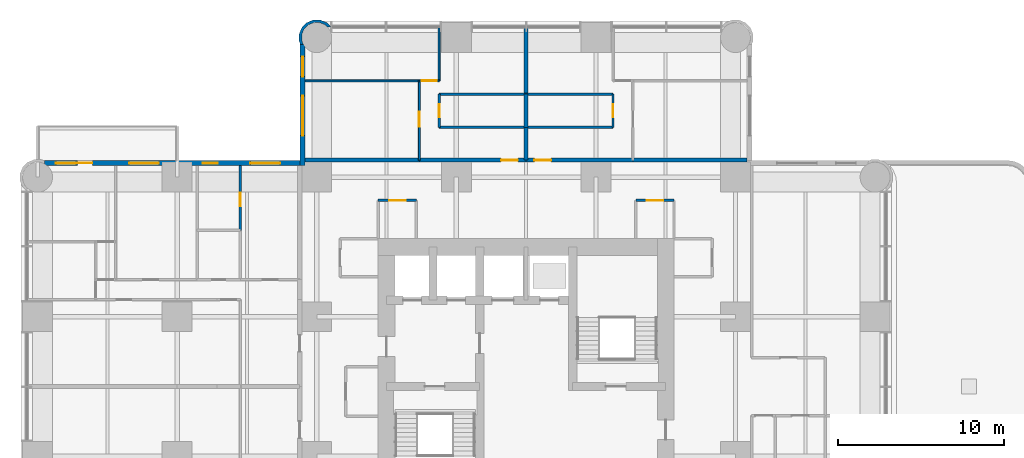
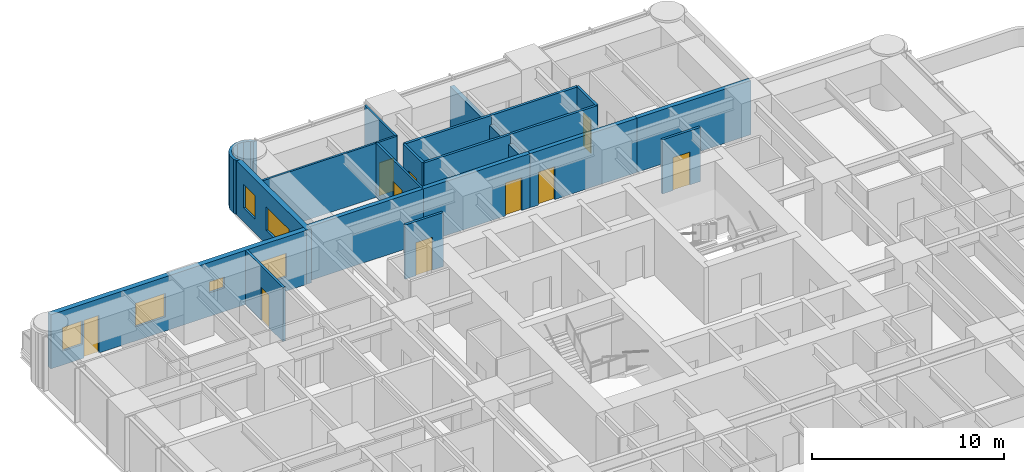
# One storey, part 9 of 12: 23 walls, 10 doors, 6 windows, 16 openings.
"""IFC4 building model written with IfcOpenShell, lengths in metres."""

from ifc_helpers import new_model, si_unit, direction, frame, frame_2d, origin, place, context, subcontext, project, spatial, polyline, rectangle, outline, extrude, material, layer, layer_set, type_object, element, fill, save


model = new_model("IFC4")

# Units and contexts
model_context = context("Model", 3, precision=1e-05, world=origin(), true_north=direction((0.0, 1.0)))
body_context = subcontext(model_context, "Body", "Model", "MODEL_VIEW")
ifc_project = project(units=[si_unit("LENGTHUNIT", "METRE"), si_unit("AREAUNIT", "SQUARE_METRE"), si_unit("VOLUMEUNIT", "CUBIC_METRE"), si_unit("PLANEANGLEUNIT", "RADIAN"), si_unit("MASSUNIT", "GRAM", prefix="KILO")], contexts=[model_context])

# Site, building, storey
site_placement = place(None, origin())
site = spatial("IfcSite", under=ifc_project, at=site_placement, CompositionType="ELEMENT")
building_placement = place(site_placement, origin())
building = spatial("IfcBuilding", under=site, at=building_placement, Name="Torre Alcanfor", CompositionType="ELEMENT")
storey_placement = place(building_placement, frame((0.0, 0.0, 183.300048828125)))
storey = spatial("IfcBuildingStorey", under=building, at=storey_placement, Name="L47", CompositionType="ELEMENT", Elevation=183.300048828125)

# Wall, opening, door
ifc_material_1 = material(Name="Concrete block masonry, hollow blocks NMX-C-404 9 MPa", Category="masonry")
ifc_layer_1 = layer(ifc_material_1, 0.25)
ifc_layer_set_1 = layer_set([ifc_layer_1], Name="Apartment entrance wall 250 EI 60")
wall_type_1 = type_object("IfcWallType", Name="Apartment entrance wall 250 EI 60", PredefinedType="PARTITIONING", material=ifc_layer_set_1)
wall_1_placement = place(storey_placement, frame((22.970947265625, 43.02490234375, 0.0), z_axis=(0.0, 0.0, 1.0), x_axis=(1.0, 0.0, 0.0)))
wall_1 = element("IfcWall", 1, at=wall_1_placement, inside=storey, type_object=wall_type_1, Name="Partition L47-CORR / L47-N1-LIVING", PredefinedType="PARTITIONING", context=body_context, shape_type="SweptSolid", body=[
    extrude(rectangle(XDim=6.428955078125, YDim=0.25, at=frame_2d((3.21435546875, 0.0))), origin(), (0.0, 0.0, 1.0), 3.449951171875),
])
opening_1_placement = place(wall_1_placement, frame((4.928955078125, 0.0, 0.0)))
opening_1 = element("IfcOpeningElement", 2, at=opening_1_placement, cuts=wall_1, Name="Opening D-A1", PredefinedType="OPENING", context=body_context, shape_type="SweptSolid", body=[
    extrude(rectangle(XDim=1.0, YDim=2.10009765625, at=frame_2d((0.5, 1.050048828125))), frame((0.0, 0.135009765625, 0.0), z_axis=(0.0, -1.0, 0.0), x_axis=(1.0, 0.0, 0.0)), (0.0, 0.0, 1.0), 0.27001953125),
])
ifc_material_2 = material(Name="Galvanised steel sheet ASTM A653", Category="steel")
door_type_1 = type_object("IfcDoorType", Name="Apartment entrance door FD60 1000x2100", OperationType="SINGLE_SWING_LEFT", PredefinedType="DOOR", material=ifc_material_2)
door_1_placement = place(opening_1_placement, origin())
door_1 = element("IfcDoor", 3, at=door_1_placement, inside=storey, type_object=door_type_1, Name="Apartment entrance L47-N1", OperationType="SINGLE_SWING_RIGHT", OverallHeight=2.10009765625, OverallWidth=1.0, PredefinedType="DOOR", context=body_context, shape_type="SweptSolid", body=[
    extrude(rectangle(XDim=1.0, YDim=2.10009765625, at=frame_2d((0.5, 1.050048828125))), frame((0.0, 0.02490234375, 0.0), z_axis=(0.0, -1.0, 0.0), x_axis=(1.0, 0.0, 0.0)), (0.0, 0.0, 1.0), 0.050048828125),
])
fill(opening_1, door_1)

# Wall
wall_2_placement = place(storey_placement, frame((16.10009765625, 43.02490234375, 0.0), z_axis=(0.0, 0.0, 1.0), x_axis=(1.0, 0.0, 0.0)))
element("IfcWall", 4, at=wall_2_placement, inside=storey, type_object=wall_type_1, Name="Partition L47-CORR / L47-N1-BED2", PredefinedType="PARTITIONING", context=body_context, shape_type="SweptSolid", body=[
    extrude(rectangle(XDim=6.870849609375, YDim=0.25, at=frame_2d((3.435546875, 0.0))), origin(), (0.0, 0.0, 1.0), 3.449951171875),
])

# Wall, opening, door
wall_3_placement = place(storey_placement, frame((29.39990234375, 43.02490234375, 0.0), z_axis=(0.0, 0.0, 1.0), x_axis=(1.0, 0.0, 0.0)))
wall_3 = element("IfcWall", 5, at=wall_3_placement, inside=storey, type_object=wall_type_1, Name="Partition L47-CORR / L47-N2-LIVING", PredefinedType="PARTITIONING", context=body_context, shape_type="SweptSolid", body=[
    extrude(rectangle(XDim=6.42919921875, YDim=0.25, at=frame_2d((3.214599609375, 0.0))), origin(), (0.0, 0.0, 1.0), 3.449951171875),
])
opening_2_placement = place(wall_3_placement, frame((0.5, 0.0, 0.0)))
opening_2 = element("IfcOpeningElement", 6, at=opening_2_placement, cuts=wall_3, Name="Opening D-A1", PredefinedType="OPENING", context=body_context, shape_type="SweptSolid", body=[
    extrude(rectangle(XDim=1.0, YDim=2.10009765625, at=frame_2d((0.5, 1.050048828125))), frame((0.0, 0.135009765625, 0.0), z_axis=(0.0, -1.0, 0.0), x_axis=(1.0, 0.0, 0.0)), (0.0, 0.0, 1.0), 0.27001953125),
])
door_2_placement = place(opening_2_placement, origin())
door_2 = element("IfcDoor", 7, at=door_2_placement, inside=storey, type_object=door_type_1, Name="Apartment entrance L47-N2", OperationType="SINGLE_SWING_LEFT", OverallHeight=2.10009765625, OverallWidth=1.0, PredefinedType="DOOR", context=body_context, shape_type="SweptSolid", body=[
    extrude(rectangle(XDim=1.0, YDim=2.10009765625, at=frame_2d((0.5, 1.050048828125))), frame((0.0, 0.02490234375, 0.0), z_axis=(0.0, -1.0, 0.0), x_axis=(1.0, 0.0, 0.0)), (0.0, 0.0, 1.0), 0.050048828125),
])
fill(opening_2, door_2)

# Wall
wall_4_placement = place(storey_placement, frame((35.8291015625, 43.02490234375, 0.0), z_axis=(0.0, 0.0, 1.0), x_axis=(1.0, 0.0, 0.0)))
element("IfcWall", 8, at=wall_4_placement, inside=storey, type_object=wall_type_1, Name="Partition L47-CORR / L47-N2-BED2", PredefinedType="PARTITIONING", context=body_context, shape_type="SweptSolid", body=[
    extrude(rectangle(XDim=6.870849609375, YDim=0.25, at=frame_2d((3.435546875, 0.0))), origin(), (0.0, 0.0, 1.0), 3.449951171875),
])

# Wall, opening, door
ifc_material_3 = material(Name="Gypsum board on steel studs", Category="steel")
ifc_layer_2 = layer(ifc_material_3, 0.1201171875)
ifc_layer_set_2 = layer_set([ifc_layer_2], Name="Apartment partition 120")
wall_type_2 = type_object("IfcWallType", Name="Apartment partition 120", PredefinedType="PARTITIONING", material=ifc_layer_set_2)
wall_5_placement = place(storey_placement, frame((22.970947265625, 43.02490234375, 0.0), z_axis=(0.0, 0.0, 1.0), x_axis=(0.0, 1.0, 0.0)))
wall_5 = element("IfcWall", 9, at=wall_5_placement, inside=storey, type_object=wall_type_2, Name="Partition L47-N1-LIVING / L47-N1-BED2", PredefinedType="PARTITIONING", context=body_context, shape_type="SweptSolid", body=[
    extrude(rectangle(XDim=4.775146484375, YDim=0.1201171875, at=frame_2d((2.3876953125, 0.0))), origin(), (0.0, 0.0, 1.0), 3.449951171875),
])
opening_3_placement = place(wall_5_placement, frame((2.02490234375, 0.0, 0.0)))
opening_3 = element("IfcOpeningElement", 10, at=opening_3_placement, cuts=wall_5, Name="Opening D-R1", PredefinedType="OPENING", context=body_context, shape_type="SweptSolid", body=[
    extrude(rectangle(XDim=0.89990234375, YDim=2.10009765625, at=frame_2d((0.449951171875, 1.050048828125))), frame((0.0, 0.070068359375, 0.0), z_axis=(0.0, -1.0, 0.0), x_axis=(1.0, 0.0, 0.0)), (0.0, 0.0, 1.0), 0.14013671875),
])
ifc_material_4 = material(Name="Timber", Category="wood")
door_type_2 = type_object("IfcDoorType", Name="Internal door 900x2100", OperationType="SINGLE_SWING_LEFT", PredefinedType="DOOR", material=ifc_material_4)
door_3_placement = place(opening_3_placement, origin())
door_3 = element("IfcDoor", 11, at=door_3_placement, inside=storey, type_object=door_type_2, Name="Door L47-N1 bed2", OperationType="SINGLE_SWING_RIGHT", OverallHeight=2.10009765625, OverallWidth=0.89990234375, PredefinedType="DOOR", context=body_context, shape_type="SweptSolid", body=[
    extrude(rectangle(XDim=0.89990234375, YDim=2.10009765625, at=frame_2d((0.449951171875, 1.050048828125))), frame((0.0, 0.02490234375, 0.0), z_axis=(0.0, -1.0, 0.0), x_axis=(1.0, 0.0, 0.0)), (0.0, 0.0, 1.0), 0.050048828125),
])
fill(opening_3, door_3)

wall_6_placement = place(storey_placement, frame((22.970947265625, 47.800048828125, 0.0), z_axis=(0.0, 0.0, 1.0), x_axis=(1.0, 0.0, 0.0)))
wall_6 = element("IfcWall", 12, at=wall_6_placement, inside=storey, type_object=wall_type_2, Name="Partition L47-N1-LIVING / L47-N1-MASTER", PredefinedType="PARTITIONING", context=body_context, shape_type="SweptSolid", body=[
    extrude(rectangle(XDim=1.199951171875, YDim=0.1201171875, at=frame_2d((0.60009765625, 0.0))), origin(), (0.0, 0.0, 1.0), 3.449951171875),
])
opening_4_placement = place(wall_6_placement, frame((0.14892578125, 0.0, 0.0)))
opening_4 = element("IfcOpeningElement", 13, at=opening_4_placement, cuts=wall_6, Name="Opening D-R1", PredefinedType="OPENING", context=body_context, shape_type="SweptSolid", body=[
    extrude(rectangle(XDim=0.89990234375, YDim=2.10009765625, at=frame_2d((0.449951171875, 1.050048828125))), frame((0.0, 0.070068359375, 0.0), z_axis=(0.0, -1.0, 0.0), x_axis=(1.0, 0.0, 0.0)), (0.0, 0.0, 1.0), 0.14013671875),
])
door_4_placement = place(opening_4_placement, origin())
door_4 = element("IfcDoor", 14, at=door_4_placement, inside=storey, type_object=door_type_2, Name="Door L47-N1 master", OperationType="SINGLE_SWING_RIGHT", OverallHeight=2.10009765625, OverallWidth=0.89990234375, PredefinedType="DOOR", context=body_context, shape_type="SweptSolid", body=[
    extrude(rectangle(XDim=0.89990234375, YDim=2.10009765625, at=frame_2d((0.449951171875, 1.050048828125))), frame((0.0, 0.02490234375, 0.0), z_axis=(0.0, -1.0, 0.0), x_axis=(1.0, 0.0, 0.0)), (0.0, 0.0, 1.0), 0.050048828125),
])
fill(opening_4, door_4)

# Walls
wall_7_placement = place(storey_placement, frame((24.1708984375, 47.800048828125, 0.0), z_axis=(0.0, 0.0, 1.0), x_axis=(0.0, 1.0, 0.0)))
element("IfcWall", 15, at=wall_7_placement, inside=storey, type_object=wall_type_2, Name="Partition L47-N1-LIVING / L47-N1-MASTER", PredefinedType="PARTITIONING", context=body_context, shape_type="SweptSolid", body=[
    extrude(rectangle(XDim=3.25, YDim=0.1201171875, at=frame_2d((1.625, 0.0))), origin(), (0.0, 0.0, 1.0), 3.449951171875),
])
wall_8_placement = place(storey_placement, frame((22.970947265625, 47.800048828125, 0.0), z_axis=(0.0, 0.0, 1.0), x_axis=(-1.0, 0.0, 0.0)))
element("IfcWall", 16, at=wall_8_placement, inside=storey, type_object=wall_type_2, Name="Partition L47-N1-BED2 / L47-N1-MASTER", PredefinedType="PARTITIONING", context=body_context, shape_type="SweptSolid", body=[
    extrude(rectangle(XDim=6.870849609375, YDim=0.1201171875, at=frame_2d((3.435546875, 0.0))), origin(), (0.0, 0.0, 1.0), 3.449951171875),
])

# Wall, openings, door, windows
ifc_material_5 = material(Name="Limestone cladding", Category="masonry")
ifc_layer_3 = layer(ifc_material_5, 0.0400390625, Name="Facing")
ifc_material_6 = material(Name="Ventilated air cavity")
ifc_layer_4 = layer(ifc_material_6, 0.02001953125, ventilated=True, Name="Ventilated joint")
ifc_material_7 = material(Name="Mineral wool insulation", Category="insulation")
ifc_layer_5 = layer(ifc_material_7, 0.10009765625, Name="Insulation")
ifc_material_8 = material(Name="Concrete f'c 35 MPa", Category="concrete")
ifc_layer_6 = layer(ifc_material_8, 0.139892578125, Name="Backing")
ifc_layer_set_3 = layer_set([ifc_layer_3, ifc_layer_4, ifc_layer_5, ifc_layer_6], Name="External wall stone-clad 300")
wall_type_3 = type_object("IfcWallType", Name="External wall stone-clad 300", PredefinedType="SOLIDWALL", material=ifc_layer_set_3)
wall_9_placement = place(storey_placement, frame((15.800048828125, 42.85009765625, 0.0), z_axis=(0.0, 0.0, 1.0), x_axis=(-1.0, 0.0, 0.0)))
wall_9 = element("IfcWall", 17, at=wall_9_placement, inside=storey, type_object=wall_type_3, Name="External wall L47 1", PredefinedType="SOLIDWALL", context=body_context, shape_type="SweptSolid", body=[
    extrude(rectangle(XDim=15.400146484375, YDim=0.300048828125, at=frame_2d((7.7001953125, 0.0))), origin(), (0.0, 0.0, 1.0), 3.449951171875),
])
opening_5_placement = place(wall_9_placement, frame((1.199951171875, 0.0, 0.89990234375)))
opening_5 = element("IfcOpeningElement", 18, at=opening_5_placement, cuts=wall_9, Name="Opening W2", PredefinedType="OPENING", context=body_context, shape_type="SweptSolid", body=[
    extrude(rectangle(XDim=1.800048828125, YDim=1.5, at=frame_2d((0.89990234375, 0.75))), frame((0.0, 0.159912109375, 0.0), z_axis=(0.0, -1.0, 0.0), x_axis=(1.0, 0.0, 0.0)), (0.0, 0.0, 1.0), 0.320068359375),
])
opening_6_placement = place(wall_9_placement, frame((4.949951171875, 0.0, 1.5)))
opening_6 = element("IfcOpeningElement", 19, at=opening_6_placement, cuts=wall_9, Name="Opening W3", PredefinedType="OPENING", context=body_context, shape_type="SweptSolid", body=[
    extrude(rectangle(XDim=0.89990234375, YDim=0.699951171875, at=frame_2d((0.449951171875, 0.35009765625))), frame((0.0, 0.159912109375, 0.0), z_axis=(0.0, -1.0, 0.0), x_axis=(1.0, 0.0, 0.0)), (0.0, 0.0, 1.0), 0.320068359375),
])
opening_7_placement = place(wall_9_placement, frame((8.5, 0.0, 0.89990234375)))
opening_7 = element("IfcOpeningElement", 20, at=opening_7_placement, cuts=wall_9, Name="Opening W2", PredefinedType="OPENING", context=body_context, shape_type="SweptSolid", body=[
    extrude(rectangle(XDim=1.800048828125, YDim=1.5, at=frame_2d((0.89990234375, 0.75))), frame((0.0, 0.159912109375, 0.0), z_axis=(0.0, -1.0, 0.0), x_axis=(1.0, 0.0, 0.0)), (0.0, 0.0, 1.0), 0.320068359375),
])
opening_8_placement = place(wall_9_placement, frame((12.5, 0.0, 0.0)))
opening_8 = element("IfcOpeningElement", 21, at=opening_8_placement, cuts=wall_9, Name="Opening D-B1", PredefinedType="OPENING", context=body_context, shape_type="SweptSolid", body=[
    extrude(rectangle(XDim=0.89990234375, YDim=2.39990234375, at=frame_2d((0.449951171875, 1.199951171875))), frame((0.0, 0.159912109375, 0.0), z_axis=(0.0, -1.0, 0.0), x_axis=(1.0, 0.0, 0.0)), (0.0, 0.0, 1.0), 0.320068359375),
])
opening_9_placement = place(wall_9_placement, frame((13.5, 0.0, 0.89990234375)))
opening_9 = element("IfcOpeningElement", 22, at=opening_9_placement, cuts=wall_9, Name="Opening W4", PredefinedType="OPENING", context=body_context, shape_type="SweptSolid", body=[
    extrude(rectangle(XDim=1.199951171875, YDim=1.5, at=frame_2d((0.60009765625, 0.75))), frame((0.0, 0.159912109375, 0.0), z_axis=(0.0, -1.0, 0.0), x_axis=(1.0, 0.0, 0.0)), (0.0, 0.0, 1.0), 0.320068359375),
])
ifc_material_9 = material(Name="Aluminium and glass", Category="aluminium")
door_type_3 = type_object("IfcDoorType", Name="Balcony door glazed 900x2400", OperationType="SINGLE_SWING_LEFT", PredefinedType="DOOR", material=ifc_material_9)
door_5_placement = place(opening_8_placement, origin())
door_5 = element("IfcDoor", 23, at=door_5_placement, inside=storey, type_object=door_type_3, Name="Balcony door L47-W2", OperationType="SINGLE_SWING_LEFT", OverallHeight=2.39990234375, OverallWidth=0.89990234375, PredefinedType="DOOR", context=body_context, shape_type="SweptSolid", body=[
    extrude(rectangle(XDim=0.89990234375, YDim=2.39990234375, at=frame_2d((0.449951171875, 1.199951171875))), frame((0.0, 0.02490234375, 0.0), z_axis=(0.0, -1.0, 0.0), x_axis=(1.0, 0.0, 0.0)), (0.0, 0.0, 1.0), 0.050048828125),
])
fill(opening_8, door_5)
ifc_material_10 = material(Name="Aluminium frame with clear double glazing", Category="aluminium")
window_type_1 = type_object("IfcWindowType", Name="Window bathroom 900x700", PartitioningType="SINGLE_PANEL", PredefinedType="WINDOW", material=ifc_material_10)
window_1_placement = place(opening_6_placement, origin())
window_1 = element("IfcWindow", 24, at=window_1_placement, inside=storey, type_object=window_type_1, Name="Window W3 L47-W2", OverallHeight=0.699951171875, OverallWidth=0.89990234375, PartitioningType="SINGLE_PANEL", PredefinedType="WINDOW", context=body_context, shape_type="SweptSolid", body=[
    extrude(rectangle(XDim=0.89990234375, YDim=0.699951171875, at=frame_2d((0.449951171875, 0.35009765625))), frame((0.0, 0.030029296875, 0.0), z_axis=(0.0, -1.0, 0.0), x_axis=(1.0, 0.0, 0.0)), (0.0, 0.0, 1.0), 0.06005859375),
])
fill(opening_6, window_1)
ifc_material_11 = material(Name="Aluminium frame with clear double glazing", Category="aluminium")
window_type_2 = type_object("IfcWindowType", Name="Window bedroom 1200x1500", PartitioningType="SINGLE_PANEL", PredefinedType="WINDOW", material=ifc_material_11)
window_2_placement = place(opening_9_placement, origin())
window_2 = element("IfcWindow", 25, at=window_2_placement, inside=storey, type_object=window_type_2, Name="Window W4 L47-W2", OverallHeight=1.5, OverallWidth=1.199951171875, PartitioningType="SINGLE_PANEL", PredefinedType="WINDOW", context=body_context, shape_type="SweptSolid", body=[
    extrude(rectangle(XDim=1.199951171875, YDim=1.5, at=frame_2d((0.60009765625, 0.75))), frame((0.0, 0.030029296875, 0.0), z_axis=(0.0, -1.0, 0.0), x_axis=(1.0, 0.0, 0.0)), (0.0, 0.0, 1.0), 0.06005859375),
])
fill(opening_9, window_2)
ifc_material_12 = material(Name="Aluminium frame with clear double glazing", Category="aluminium")
window_type_3 = type_object("IfcWindowType", Name="Window bedroom 1800x1500", PartitioningType="SINGLE_PANEL", PredefinedType="WINDOW", material=ifc_material_12)
window_3_placement = place(opening_5_placement, origin())
window_3 = element("IfcWindow", 26, at=window_3_placement, inside=storey, type_object=window_type_3, Name="Window W2 L47-W2", OverallHeight=1.5, OverallWidth=1.800048828125, PartitioningType="SINGLE_PANEL", PredefinedType="WINDOW", context=body_context, shape_type="SweptSolid", body=[
    extrude(rectangle(XDim=1.800048828125, YDim=1.5, at=frame_2d((0.89990234375, 0.75))), frame((0.0, 0.030029296875, 0.0), z_axis=(0.0, -1.0, 0.0), x_axis=(1.0, 0.0, 0.0)), (0.0, 0.0, 1.0), 0.06005859375),
])
fill(opening_5, window_3)
window_4_placement = place(opening_7_placement, origin())
window_4 = element("IfcWindow", 27, at=window_4_placement, inside=storey, type_object=window_type_3, Name="Window W2 L47-W2", OverallHeight=1.5, OverallWidth=1.800048828125, PartitioningType="SINGLE_PANEL", PredefinedType="WINDOW", context=body_context, shape_type="SweptSolid", body=[
    extrude(rectangle(XDim=1.800048828125, YDim=1.5, at=frame_2d((0.89990234375, 0.75))), frame((0.0, 0.030029296875, 0.0), z_axis=(0.0, -1.0, 0.0), x_axis=(1.0, 0.0, 0.0)), (0.0, 0.0, 1.0), 0.06005859375),
])
fill(opening_7, window_4)

# Wall, openings, windows
wall_10_placement = place(storey_placement, frame((15.949951171875, 50.0, 0.0), z_axis=(0.0, 0.0, 1.0), x_axis=(0.0, -1.0, 0.0)))
wall_10 = element("IfcWall", 28, at=wall_10_placement, inside=storey, type_object=wall_type_3, Name="External wall L47 12", PredefinedType="SOLIDWALL", context=body_context, shape_type="SweptSolid", body=[
    extrude(rectangle(XDim=7.300048828125, YDim=0.300048828125, at=frame_2d((3.64990234375, 0.0))), origin(), (0.0, 0.0, 1.0), 3.449951171875),
])
opening_10_placement = place(wall_10_placement, frame((3.10009765625, 0.0, 0.89990234375)))
opening_10 = element("IfcOpeningElement", 29, at=opening_10_placement, cuts=wall_10, Name="Opening W1", PredefinedType="OPENING", context=body_context, shape_type="SweptSolid", body=[
    extrude(rectangle(XDim=2.39990234375, YDim=1.5, at=frame_2d((1.199951171875, 0.75))), frame((0.0, 0.159912109375, 0.0), z_axis=(0.0, -1.0, 0.0), x_axis=(1.0, 0.0, 0.0)), (0.0, 0.0, 1.0), 0.320068359375),
])
opening_11_placement = place(wall_10_placement, frame((0.75, 0.0, 0.89990234375)))
opening_11 = element("IfcOpeningElement", 30, at=opening_11_placement, cuts=wall_10, Name="Opening W4", PredefinedType="OPENING", context=body_context, shape_type="SweptSolid", body=[
    extrude(rectangle(XDim=1.199951171875, YDim=1.5, at=frame_2d((0.60009765625, 0.75))), frame((0.0, 0.159912109375, 0.0), z_axis=(0.0, -1.0, 0.0), x_axis=(1.0, 0.0, 0.0)), (0.0, 0.0, 1.0), 0.320068359375),
])
window_5_placement = place(opening_11_placement, origin())
window_5 = element("IfcWindow", 31, at=window_5_placement, inside=storey, type_object=window_type_2, Name="Window W4 L47-N1", OverallHeight=1.5, OverallWidth=1.199951171875, PartitioningType="SINGLE_PANEL", PredefinedType="WINDOW", context=body_context, shape_type="SweptSolid", body=[
    extrude(rectangle(XDim=1.199951171875, YDim=1.5, at=frame_2d((0.60009765625, 0.75))), frame((0.0, 0.030029296875, 0.0), z_axis=(0.0, -1.0, 0.0), x_axis=(1.0, 0.0, 0.0)), (0.0, 0.0, 1.0), 0.06005859375),
])
fill(opening_11, window_5)
ifc_material_13 = material(Name="Aluminium frame with clear double glazing", Category="aluminium")
window_type_4 = type_object("IfcWindowType", Name="Window bedroom 2400x1500", PartitioningType="SINGLE_PANEL", PredefinedType="WINDOW", material=ifc_material_13)
window_6_placement = place(opening_10_placement, origin())
window_6 = element("IfcWindow", 32, at=window_6_placement, inside=storey, type_object=window_type_4, Name="Window W1 L47-N1", OverallHeight=1.5, OverallWidth=2.39990234375, PartitioningType="SINGLE_PANEL", PredefinedType="WINDOW", context=body_context, shape_type="SweptSolid", body=[
    extrude(rectangle(XDim=2.39990234375, YDim=1.5, at=frame_2d((1.199951171875, 0.75))), frame((0.0, 0.030029296875, 0.0), z_axis=(0.0, -1.0, 0.0), x_axis=(1.0, 0.0, 0.0)), (0.0, 0.0, 1.0), 0.06005859375),
])
fill(opening_10, window_6)

# Walls
ifc_material_14 = material(Name="Concrete block masonry, hollow blocks NMX-C-404 9 MPa", Category="masonry")
ifc_layer_7 = layer(ifc_material_14, 0.25)
ifc_layer_set_4 = layer_set([ifc_layer_7], Name="Party wall 250 EI 60")
wall_type_4 = type_object("IfcWallType", Name="Party wall 250 EI 60", PredefinedType="PARTITIONING", material=ifc_layer_set_4)
wall_11_placement = place(storey_placement, frame((29.39990234375, 45.0, 0.0), z_axis=(0.0, 0.0, 1.0), x_axis=(0.0, 1.0, 0.0)))
element("IfcWall", 33, at=wall_11_placement, inside=storey, type_object=wall_type_4, Name="Partition L47-N1-BATH / L47-N2-BATH", PredefinedType="PARTITIONING", context=body_context, shape_type="SweptSolid", body=[
    extrude(rectangle(XDim=2.0, YDim=0.25, at=frame_2d((1.0, 0.0))), origin(), (0.0, 0.0, 1.0), 2.847900390625),
])
wall_12_placement = place(storey_placement, frame((29.39990234375, 45.0, 0.0), z_axis=(0.0, 0.0, 1.0), x_axis=(0.0, -1.0, 0.0)))
element("IfcWall", 34, at=wall_12_placement, inside=storey, type_object=wall_type_4, Name="Partition L47-N1-LIVING / L47-N2-LIVING", PredefinedType="PARTITIONING", context=body_context, shape_type="SweptSolid", body=[
    extrude(rectangle(XDim=1.97509765625, YDim=0.25, at=frame_2d((0.987548828125, 0.0))), origin(), (0.0, 0.0, 1.0), 2.847900390625),
])
wall_13_placement = place(storey_placement, frame((29.39990234375, 51.050048828125, 0.0), z_axis=(0.0, 0.0, 1.0), x_axis=(0.0, -1.0, 0.0)))
element("IfcWall", 35, at=wall_13_placement, inside=storey, type_object=wall_type_4, Name="Partition L47-N1-LIVING / L47-N2-LIVING", PredefinedType="PARTITIONING", context=body_context, shape_type="SweptSolid", body=[
    extrude(rectangle(XDim=4.050048828125, YDim=0.25, at=frame_2d((2.02490234375, 0.0))), origin(), (0.0, 0.0, 1.0), 2.847900390625),
])

# Wall, opening, door
ifc_material_15 = material(Name="Concrete block masonry, hollow blocks NMX-C-404 9 MPa", Category="masonry")
ifc_layer_8 = layer(ifc_material_15, 0.14990234375)
ifc_layer_set_5 = layer_set([ifc_layer_8], Name="Residents' room partition 150")
wall_type_5 = type_object("IfcWallType", Name="Residents' room partition 150", PredefinedType="PARTITIONING", material=ifc_layer_set_5)
wall_14_placement = place(storey_placement, frame((22.800048828125, 40.60009765625, 0.0), z_axis=(0.0, 0.0, 1.0), x_axis=(-1.0, 0.0, 0.0)))
wall_14 = element("IfcWall", 36, at=wall_14_placement, inside=storey, type_object=wall_type_5, Name="Partition L47-CORR / L47-G01", PredefinedType="PARTITIONING", context=body_context, shape_type="SweptSolid", body=[
    extrude(rectangle(XDim=2.300048828125, YDim=0.14990234375, at=frame_2d((1.14990234375, 0.0))), origin(), (0.0, 0.0, 1.0), 3.449951171875),
])
opening_12_placement = place(wall_14_placement, frame((0.64990234375, 0.0, 0.0)))
opening_12 = element("IfcOpeningElement", 37, at=opening_12_placement, cuts=wall_14, Name="Opening D-M1", PredefinedType="OPENING", context=body_context, shape_type="SweptSolid", body=[
    extrude(rectangle(XDim=1.0, YDim=2.10009765625, at=frame_2d((0.5, 1.050048828125))), frame((0.0, 0.0849609375, 0.0), z_axis=(0.0, -1.0, 0.0), x_axis=(1.0, 0.0, 0.0)), (0.0, 0.0, 1.0), 0.169921875),
])
ifc_material_16 = material(Name="Timber", Category="wood")
door_type_4 = type_object("IfcDoorType", Name="Residents' room door 1000x2100", OperationType="SINGLE_SWING_LEFT", PredefinedType="DOOR", material=ifc_material_16)
door_6_placement = place(opening_12_placement, origin())
door_6 = element("IfcDoor", 38, at=door_6_placement, inside=storey, type_object=door_type_4, Name="Door L47-G01 parcel room", OperationType="SINGLE_SWING_LEFT", OverallHeight=2.10009765625, OverallWidth=1.0, PredefinedType="DOOR", context=body_context, shape_type="SweptSolid", body=[
    extrude(rectangle(XDim=1.0, YDim=2.10009765625, at=frame_2d((0.5, 1.050048828125))), frame((0.0, 0.02490234375, 0.0), z_axis=(0.0, -1.0, 0.0), x_axis=(1.0, 0.0, 0.0)), (0.0, 0.0, 1.0), 0.050048828125),
])
fill(opening_12, door_6)

wall_15_placement = place(storey_placement, frame((38.300048828125, 40.60009765625, 0.0), z_axis=(0.0, 0.0, 1.0), x_axis=(-1.0, 0.0, 0.0)))
wall_15 = element("IfcWall", 39, at=wall_15_placement, inside=storey, type_object=wall_type_5, Name="Partition L47-CORR / L47-G02", PredefinedType="PARTITIONING", context=body_context, shape_type="SweptSolid", body=[
    extrude(rectangle(XDim=2.300048828125, YDim=0.14990234375, at=frame_2d((1.14990234375, 0.0))), origin(), (0.0, 0.0, 1.0), 3.449951171875),
])
opening_13_placement = place(wall_15_placement, frame((0.64990234375, 0.0, 0.0)))
opening_13 = element("IfcOpeningElement", 40, at=opening_13_placement, cuts=wall_15, Name="Opening D-M1", PredefinedType="OPENING", context=body_context, shape_type="SweptSolid", body=[
    extrude(rectangle(XDim=1.0, YDim=2.10009765625, at=frame_2d((0.5, 1.050048828125))), frame((0.0, 0.0849609375, 0.0), z_axis=(0.0, -1.0, 0.0), x_axis=(1.0, 0.0, 0.0)), (0.0, 0.0, 1.0), 0.169921875),
])
door_7_placement = place(opening_13_placement, origin())
door_7 = element("IfcDoor", 41, at=door_7_placement, inside=storey, type_object=door_type_4, Name="Door L47-G02 cleaners' store", OperationType="SINGLE_SWING_LEFT", OverallHeight=2.10009765625, OverallWidth=1.0, PredefinedType="DOOR", context=body_context, shape_type="SweptSolid", body=[
    extrude(rectangle(XDim=1.0, YDim=2.10009765625, at=frame_2d((0.5, 1.050048828125))), frame((0.0, 0.02490234375, 0.0), z_axis=(0.0, -1.0, 0.0), x_axis=(1.0, 0.0, 0.0)), (0.0, 0.0, 1.0), 0.050048828125),
])
fill(opening_13, door_7)

# Walls
ifc_layer_9 = layer(ifc_material_5, 0.0400390625, Name="Facing")
ifc_layer_10 = layer(ifc_material_6, 0.02001953125, ventilated=True, Name="Ventilated joint")
ifc_layer_11 = layer(ifc_material_7, 0.10009765625, Name="Insulation")
ifc_layer_12 = layer(ifc_material_8, 0.139892578125, Name="Backing")
ifc_layer_set_6 = layer_set([ifc_layer_9, ifc_layer_10, ifc_layer_11, ifc_layer_12], Name="Rounded corner pier stone-clad 300")
wall_type_6 = type_object("IfcWallType", Name="Rounded corner pier stone-clad 300", PredefinedType="SOLIDWALL", material=ifc_layer_set_6)
wall_16_placement = place(storey_placement, frame((17.56659392, 51.010519256, 0.0), z_axis=(0.0, 0.0, 1.0), x_axis=(-0.377204953059, 0.926129809145, 0.0)))
element("IfcWall", 42, at=wall_16_placement, inside=storey, type_object=wall_type_6, Name="Corner pier L47 20", PredefinedType="SOLIDWALL", context=body_context, shape_type="SweptSolid", body=[
    extrude(outline(polyline([(-0.2695224472393146, 2.01722293730975), (-0.3701431101960245, 1.8407234859763855), (-0.10241958066743428, 1.8423997316775762), (0.22950389585243314, 1.707210065883898), (0.4845744445318696, 1.4551709853074761), (0.6236818665576082, 1.1248825372683342), (0.6257858293111122, 0.7663016450248007), (0.4905961635174338, 0.43437816850493327), (0.2386491739940051, 0.17953372573593263), (0.09027729798316994, 0.11685669625710161), (0.0109869013562237, -0.07782049262818846), (0.02455325598237632, -0.0833459558077666), (0.32947803800020364, 0.045266383532975185), (0.4800433768309631, 0.19746957718039798), (0.49891874533832004, 0.19268154900874804), (0.507465313210511, 0.22531569769233664), (0.6259113653750967, 0.34525923056028235), (0.784952613893954, 0.7357441378830418), (0.7823818366196249, 1.157255251056618), (0.618841786734827, 1.5459998493136748), (0.3188489397075199, 1.842433176688568), (-0.0716359676152396, 2.0014744252074252), (-0.2399774705530371, 2.000444465608875), (-0.2695224472393146, 2.01722293730975)])), origin(), (0.0, 0.0, 1.0), 3.449951171875),
])
ifc_material_17 = material(Name="Cement board on steel studs", Category="steel")
ifc_layer_13 = layer(ifc_material_17, 0.14990234375)
ifc_layer_set_7 = layer_set([ifc_layer_13], Name="Wet area partition 150")
wall_type_7 = type_object("IfcWallType", Name="Wet area partition 150", PredefinedType="PARTITIONING", material=ifc_layer_set_7)
wall_17_placement = place(storey_placement, frame((29.39990234375, 47.0, 0.0), z_axis=(0.0, 0.0, 1.0), x_axis=(-1.0, 0.0, 0.0)))
element("IfcWall", 43, at=wall_17_placement, inside=storey, type_object=wall_type_7, Name="Partition L47-N1-BATH / L47-N1-LIVING", PredefinedType="PARTITIONING", context=body_context, shape_type="SweptSolid", body=[
    extrude(rectangle(XDim=5.22900390625, YDim=0.14990234375, at=frame_2d((2.614501953125, 0.0))), origin(), (0.0, 0.0, 1.0), 3.449951171875),
])

# Wall, opening, door
wall_18_placement = place(storey_placement, frame((24.1708984375, 47.0, 0.0), z_axis=(0.0, 0.0, 1.0), x_axis=(0.0, -1.0, 0.0)))
wall_18 = element("IfcWall", 44, at=wall_18_placement, inside=storey, type_object=wall_type_7, Name="Partition L47-N1-BATH / L47-N1-LIVING", PredefinedType="PARTITIONING", context=body_context, shape_type="SweptSolid", body=[
    extrude(rectangle(XDim=2.0, YDim=0.14990234375, at=frame_2d((1.0, 0.0))), origin(), (0.0, 0.0, 1.0), 3.449951171875),
])
opening_14_placement = place(wall_18_placement, frame((0.60009765625, 0.0, 0.0)))
opening_14 = element("IfcOpeningElement", 45, at=opening_14_placement, cuts=wall_18, Name="Opening D-R2", PredefinedType="OPENING", context=body_context, shape_type="SweptSolid", body=[
    extrude(rectangle(XDim=0.800048828125, YDim=2.10009765625, at=frame_2d((0.39990234375, 1.050048828125))), frame((0.0, 0.0849609375, 0.0), z_axis=(0.0, -1.0, 0.0), x_axis=(1.0, 0.0, 0.0)), (0.0, 0.0, 1.0), 0.169921875),
])
ifc_material_18 = material(Name="Timber", Category="wood")
door_type_5 = type_object("IfcDoorType", Name="Bathroom door 800x2100", OperationType="SINGLE_SWING_LEFT", PredefinedType="DOOR", material=ifc_material_18)
door_8_placement = place(opening_14_placement, origin())
door_8 = element("IfcDoor", 46, at=door_8_placement, inside=storey, type_object=door_type_5, Name="Door L47-N1 bath", OperationType="SINGLE_SWING_LEFT", OverallHeight=2.10009765625, OverallWidth=0.800048828125, PredefinedType="DOOR", context=body_context, shape_type="SweptSolid", body=[
    extrude(rectangle(XDim=0.800048828125, YDim=2.10009765625, at=frame_2d((0.39990234375, 1.050048828125))), frame((0.0, 0.02490234375, 0.0), z_axis=(0.0, -1.0, 0.0), x_axis=(1.0, 0.0, 0.0)), (0.0, 0.0, 1.0), 0.050048828125),
])
fill(opening_14, door_8)

# Walls
for number, where, z_axis, x_axis, name in (
    (47, (24.1708984375, 45.0, 0.0), (0.0, 0.0, 1.0), (1.0, 0.0, 0.0), "Partition L47-N1-BATH / L47-N1-LIVING"),
    (48, (29.39990234375, 47.0, 0.0), (0.0, 0.0, 1.0), (1.0, 0.0, 0.0), "Partition L47-N2-BATH / L47-N2-LIVING"),
):
    element("IfcWall", number, at=place(storey_placement, frame(where, z_axis=z_axis, x_axis=x_axis)), inside=storey, type_object=wall_type_7, Name=name, PredefinedType="PARTITIONING", context=body_context, shape_type="SweptSolid", body=[
        extrude(rectangle(XDim=5.22900390625, YDim=0.14990234375, at=frame_2d((2.614501953125, 0.0))), origin(), (0.0, 0.0, 1.0), 3.449951171875),
    ])

# Wall, opening, door
wall_19_placement = place(storey_placement, frame((34.62890625, 47.0, 0.0), z_axis=(0.0, 0.0, 1.0), x_axis=(0.0, -1.0, 0.0)))
wall_19 = element("IfcWall", 49, at=wall_19_placement, inside=storey, type_object=wall_type_7, Name="Partition L47-N2-BATH / L47-N2-LIVING", PredefinedType="PARTITIONING", context=body_context, shape_type="SweptSolid", body=[
    extrude(rectangle(XDim=2.0, YDim=0.14990234375, at=frame_2d((1.0, 0.0))), origin(), (0.0, 0.0, 1.0), 3.449951171875),
])
opening_15_placement = place(wall_19_placement, frame((0.60009765625, 0.0, 0.0)))
opening_15 = element("IfcOpeningElement", 50, at=opening_15_placement, cuts=wall_19, Name="Opening D-R2", PredefinedType="OPENING", context=body_context, shape_type="SweptSolid", body=[
    extrude(rectangle(XDim=0.800048828125, YDim=2.10009765625, at=frame_2d((0.39990234375, 1.050048828125))), frame((0.0, 0.0849609375, 0.0), z_axis=(0.0, -1.0, 0.0), x_axis=(1.0, 0.0, 0.0)), (0.0, 0.0, 1.0), 0.169921875),
])
door_9_placement = place(opening_15_placement, frame((0.800048828125, 0.0, 0.0), z_axis=(0.0, 0.0, 1.0), x_axis=(-1.0, 0.0, 0.0)))
door_9 = element("IfcDoor", 51, at=door_9_placement, inside=storey, type_object=door_type_5, Name="Door L47-N2 bath", OperationType="SINGLE_SWING_RIGHT", OverallHeight=2.10009765625, OverallWidth=0.800048828125, PredefinedType="DOOR", context=body_context, shape_type="SweptSolid", body=[
    extrude(rectangle(XDim=0.800048828125, YDim=2.10009765625, at=frame_2d((0.400146484375, 1.050048828125))), frame((0.0, 0.025146484375, 0.0), z_axis=(0.0, -1.0, 0.0), x_axis=(1.0, 0.0, 0.0)), (0.0, 0.0, 1.0), 0.050048828125),
])
fill(opening_15, door_9)

# Wall
wall_20_placement = place(storey_placement, frame((34.62890625, 45.0, 0.0), z_axis=(0.0, 0.0, 1.0), x_axis=(-1.0, 0.0, 0.0)))
element("IfcWall", 52, at=wall_20_placement, inside=storey, type_object=wall_type_7, Name="Partition L47-N2-BATH / L47-N2-LIVING", PredefinedType="PARTITIONING", context=body_context, shape_type="SweptSolid", body=[
    extrude(rectangle(XDim=5.22900390625, YDim=0.14990234375, at=frame_2d((2.614501953125, 0.0))), origin(), (0.0, 0.0, 1.0), 3.449951171875),
])

# Wall, opening, door
wall_21_placement = place(storey_placement, frame((12.199951171875, 38.800048828125, 0.0), z_axis=(0.0, 0.0, 1.0), x_axis=(0.0, 1.0, 0.0)))
wall_21 = element("IfcWall", 53, at=wall_21_placement, inside=storey, type_object=wall_type_7, Name="Partition L47-W2-SERV / L47-W2-SBATH", PredefinedType="PARTITIONING", context=body_context, shape_type="SweptSolid", body=[
    extrude(rectangle(XDim=3.89990234375, YDim=0.14990234375, at=frame_2d((1.949951171875, 0.0))), origin(), (0.0, 0.0, 1.0), 3.449951171875),
])
opening_16_placement = place(wall_21_placement, frame((1.449951171875, 0.0, 0.0)))
opening_16 = element("IfcOpeningElement", 54, at=opening_16_placement, cuts=wall_21, Name="Opening D-R2", PredefinedType="OPENING", context=body_context, shape_type="SweptSolid", body=[
    extrude(rectangle(XDim=0.800048828125, YDim=2.10009765625, at=frame_2d((0.39990234375, 1.050048828125))), frame((0.0, 0.0849609375, 0.0), z_axis=(0.0, -1.0, 0.0), x_axis=(1.0, 0.0, 0.0)), (0.0, 0.0, 1.0), 0.169921875),
])
door_10_placement = place(opening_16_placement, origin())
door_10 = element("IfcDoor", 55, at=door_10_placement, inside=storey, type_object=door_type_5, Name="Door L47-W2 sbath", OperationType="SINGLE_SWING_LEFT", OverallHeight=2.10009765625, OverallWidth=0.800048828125, PredefinedType="DOOR", context=body_context, shape_type="SweptSolid", body=[
    extrude(rectangle(XDim=0.800048828125, YDim=2.10009765625, at=frame_2d((0.39990234375, 1.050048828125))), frame((0.0, 0.02490234375, 0.0), z_axis=(0.0, -1.0, 0.0), x_axis=(1.0, 0.0, 0.0)), (0.0, 0.0, 1.0), 0.050048828125),
])
fill(opening_16, door_10)

save(model, "model.ifc")
